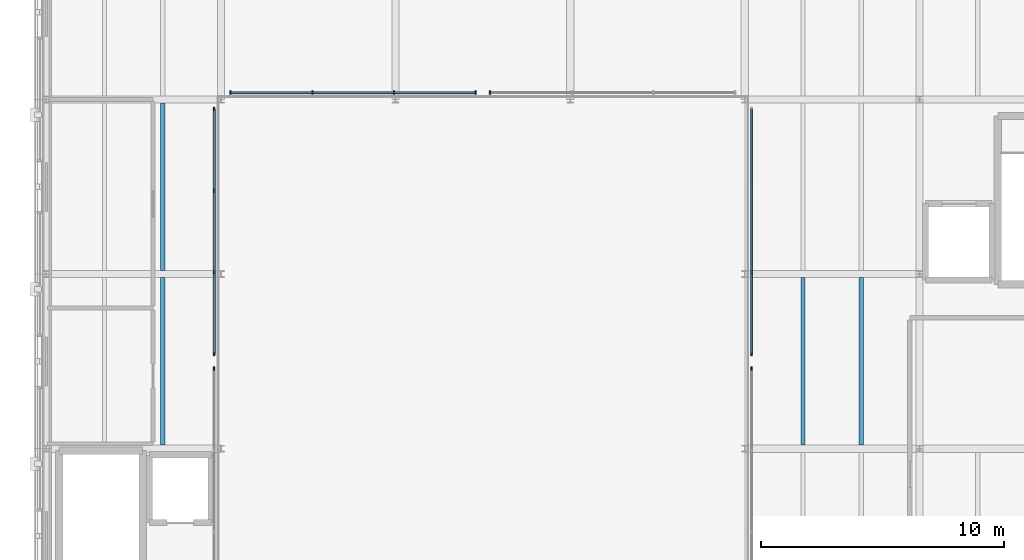
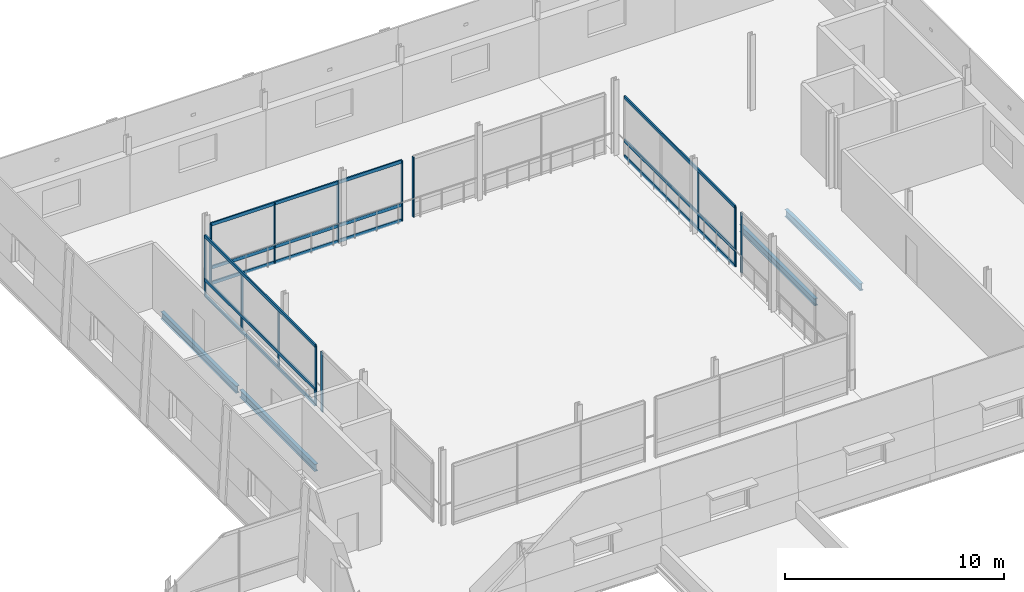
# One storey, part 40 of 115: 22 members, 4 beams, 6 elements without a shape of their own.
"""IFC4 building model written with IfcOpenShell, lengths in metres."""

from ifc_helpers import new_model, si_unit, direction, frame, origin, origin_2d, place, context, subcontext, project, spatial, rectangle, i_section, extrude, material, layer, layer_set, material_profile, profile_set, type_object, element, aggregate, save


model = new_model("IFC4")

# Units and contexts
model_context = context("Model", 3, precision=1e-05, world=origin(), true_north=direction((0.0, 1.0)))
body_context = subcontext(model_context, "Body", "Model", "MODEL_VIEW")
ifc_project = project(units=[si_unit("LENGTHUNIT", "METRE"), si_unit("AREAUNIT", "SQUARE_METRE"), si_unit("VOLUMEUNIT", "CUBIC_METRE"), si_unit("PLANEANGLEUNIT", "RADIAN"), si_unit("MASSUNIT", "GRAM", prefix="KILO")], contexts=[model_context])

# Site, building, storey
site_placement = place(None, origin())
site = spatial("IfcSite", under=ifc_project, at=site_placement, CompositionType="ELEMENT")
building_placement = place(site_placement, origin())
building = spatial("IfcBuilding", under=site, at=building_placement, Name="Narikvali Park Central Library", CompositionType="ELEMENT")
storey_placement = place(building_placement, frame((0.0, 0.0, 10.199951171875)))
storey = spatial("IfcBuildingStorey", under=building, at=storey_placement, Name="L02", CompositionType="ELEMENT", Elevation=10.199951171875)

# Beams
ifc_material_1 = material(Name="Steel S355", Category="steel")
ifc_material_profile_1 = material_profile(ifc_material_1, i_section(OverallWidth=0.179931640625, OverallDepth=0.39990234375, WebThickness=0.008544921875, FlangeThickness=0.013427734375, FilletRadius=0.02099609375, at=origin_2d()), Name="IPE 400")
ifc_profile_set_1 = profile_set([ifc_material_profile_1], Name="Steel S355")
beam_type = type_object("IfcBeamType", Name="Composite Floor Joist IPE400", PredefinedType="JOIST", material=ifc_profile_set_1)
beam_1_placement = place(storey_placement, frame((127.199951171875, 93.75, -0.47998046875), z_axis=(0.0, 1.0, 0.0), x_axis=(-1.0, 0.0, 0.0)))
element("IfcBeam", 1, at=beam_1_placement, inside=storey, type_object=beam_type, Name="V3 L02 Composite Joist 2", PredefinedType="JOIST", context=body_context, shape_type="SweptSolid", body=[
    extrude(i_section(OverallWidth=0.179931640625, OverallDepth=0.39990234375, WebThickness=0.008544921875, FlangeThickness=0.013427734375, FilletRadius=0.02099609375, at=origin_2d()), origin(), (0.0, 0.0, 1.0), 6.89990234375),
])
beam_2_placement = place(storey_placement, frame((127.199951171875, 100.949951171875, -0.47998046875), z_axis=(0.0, 1.0, 0.0), x_axis=(-1.0, 0.0, 0.0)))
element("IfcBeam", 2, at=beam_2_placement, inside=storey, type_object=beam_type, Name="V3 L02 Composite Joist 2", PredefinedType="JOIST", context=body_context, shape_type="SweptSolid", body=[
    extrude(i_section(OverallWidth=0.179931640625, OverallDepth=0.39990234375, WebThickness=0.008544921875, FlangeThickness=0.013427734375, FilletRadius=0.02099609375, at=origin_2d()), origin(), (0.0, 0.0, 1.0), 6.900146484375),
])
for number, where, z_axis, x_axis, name in (
    (3, (153.60009765625, 93.75, -0.47998046875), (0.0, 1.0, 0.0), (-1.0, 0.0, 0.0), "V3 L02 Composite Joist 1"),
    (4, (156.0, 93.75, -0.47998046875), (0.0, 1.0, 0.0), (-1.0, 0.0, 0.0), "V3 L02 Composite Joist 2"),
):
    element("IfcBeam", number, at=place(storey_placement, frame(where, z_axis=z_axis, x_axis=x_axis)), inside=storey, type_object=beam_type, Name=name, PredefinedType="JOIST", context=body_context, shape_type="SweptSolid", body=[
        extrude(i_section(OverallWidth=0.179931640625, OverallDepth=0.39990234375, WebThickness=0.008544921875, FlangeThickness=0.013427734375, FilletRadius=0.02099609375, at=origin_2d()), origin(), (0.0, 0.0, 1.0), 6.89990234375),
    ])

# Curtain wall, members
ifc_material_2 = material(Name="Anodised Bronze Aluminium", Category="aluminium")
ifc_layer = layer(ifc_material_2, 0.219970703125, Name="Anodised Bronze Aluminium")
ifc_layer_set = layer_set([ifc_layer], Name="Anodised Bronze Aluminium")
curtain_wall_type = type_object("IfcCurtainWallType", Name="Atrium Tall Curtain Wall System", PredefinedType="NOTDEFINED", material=ifc_layer_set)
curtain_wall_1_placement = place(storey_placement, origin())
curtain_wall_1 = element("IfcCurtainWall", 5, at=curtain_wall_1_placement, inside=storey, type_object=curtain_wall_type, Name="Atrium Tall Curtain Wall System CW-INT-V3-L02-W2", PredefinedType="NOTDEFINED")
ifc_material_profile_2 = material_profile(ifc_material_2, rectangle(XDim=0.074951171875, YDim=0.179931640625, at=origin_2d()), Name="CW TRANSOM 75x180")
ifc_profile_set_2 = profile_set([ifc_material_profile_2], Name="Anodised Bronze Aluminium")
member_type_1 = type_object("IfcMemberType", Name="Curtain Wall Heavy Transom 75x180", PredefinedType="USERDEFINED", material=ifc_profile_set_2)
member_1_placement = place(storey_placement, frame((129.320068359375, 97.5, 0.030029296875), z_axis=(0.0, 1.0, 0.0), x_axis=(-1.0, 0.0, 0.0)))
member_1 = element("IfcMember", 6, at=member_1_placement, type_object=member_type_1, Name="CW-INT-V3-L02-W2 Transom 00", ObjectType="TRANSOM", PredefinedType="USERDEFINED", context=body_context, shape_type="SweptSolid", body=[
    extrude(rectangle(XDim=0.074951171875, YDim=0.179931640625, at=origin_2d()), origin(), (0.0, 0.0, 1.0), 10.10009765625),
])
member_2_placement = place(storey_placement, frame((129.320068359375, 97.5, 0.900146484375), z_axis=(0.0, 1.0, 0.0), x_axis=(-1.0, 0.0, 0.0)))
member_2 = element("IfcMember", 7, at=member_2_placement, type_object=member_type_1, Name="CW-INT-V3-L02-W2 Transom 01", ObjectType="TRANSOM", PredefinedType="USERDEFINED", context=body_context, shape_type="SweptSolid", body=[
    extrude(rectangle(XDim=0.074951171875, YDim=0.179931640625, at=origin_2d()), origin(), (0.0, 0.0, 1.0), 10.10009765625),
])
member_3_placement = place(storey_placement, frame((129.320068359375, 97.5, 3.31005859375), z_axis=(0.0, 1.0, 0.0), x_axis=(-1.0, 0.0, 0.0)))
member_3 = element("IfcMember", 8, at=member_3_placement, type_object=member_type_1, Name="CW-INT-V3-L02-W2 Transom 02", ObjectType="TRANSOM", PredefinedType="USERDEFINED", context=body_context, shape_type="SweptSolid", body=[
    extrude(rectangle(XDim=0.074951171875, YDim=0.179931640625, at=origin_2d()), origin(), (0.0, 0.0, 1.0), 10.10009765625),
])

curtain_wall_2_placement = place(storey_placement, origin())
curtain_wall_2 = element("IfcCurtainWall", 9, at=curtain_wall_2_placement, inside=storey, type_object=curtain_wall_type, Name="Atrium Tall Curtain Wall System CW-INT-V3-L02-E2", PredefinedType="NOTDEFINED")
member_4_placement = place(storey_placement, frame((151.47998046875, 97.5, 0.030029296875), z_axis=(0.0, 1.0, 0.0), x_axis=(-1.0, 0.0, 0.0)))
member_4 = element("IfcMember", 10, at=member_4_placement, type_object=member_type_1, Name="CW-INT-V3-L02-E2 Transom 00", ObjectType="TRANSOM", PredefinedType="USERDEFINED", context=body_context, shape_type="SweptSolid", body=[
    extrude(rectangle(XDim=0.074951171875, YDim=0.179931640625, at=origin_2d()), origin(), (0.0, 0.0, 1.0), 10.10009765625),
])
member_5_placement = place(storey_placement, frame((151.47998046875, 97.5, 0.900146484375), z_axis=(0.0, 1.0, 0.0), x_axis=(-1.0, 0.0, 0.0)))
member_5 = element("IfcMember", 11, at=member_5_placement, type_object=member_type_1, Name="CW-INT-V3-L02-E2 Transom 01", ObjectType="TRANSOM", PredefinedType="USERDEFINED", context=body_context, shape_type="SweptSolid", body=[
    extrude(rectangle(XDim=0.074951171875, YDim=0.179931640625, at=origin_2d()), origin(), (0.0, 0.0, 1.0), 10.10009765625),
])
member_6_placement = place(storey_placement, frame((151.47998046875, 97.5, 3.31005859375), z_axis=(0.0, 1.0, 0.0), x_axis=(-1.0, 0.0, 0.0)))
member_6 = element("IfcMember", 12, at=member_6_placement, type_object=member_type_1, Name="CW-INT-V3-L02-E2 Transom 02", ObjectType="TRANSOM", PredefinedType="USERDEFINED", context=body_context, shape_type="SweptSolid", body=[
    extrude(rectangle(XDim=0.074951171875, YDim=0.179931640625, at=origin_2d()), origin(), (0.0, 0.0, 1.0), 10.10009765625),
])

curtain_wall_3_placement = place(storey_placement, origin())
curtain_wall_3 = element("IfcCurtainWall", 13, at=curtain_wall_3_placement, inside=storey, type_object=curtain_wall_type, Name="Atrium Tall Curtain Wall System CW-INT-V3-L02-N1", PredefinedType="NOTDEFINED")
member_7_placement = place(storey_placement, frame((130.0, 108.280029296875, 0.030029296875), z_axis=(1.0, 0.0, 0.0), x_axis=(0.0, 1.0, 0.0)))
member_7 = element("IfcMember", 14, at=member_7_placement, type_object=member_type_1, Name="CW-INT-V3-L02-N1 Transom 00", ObjectType="TRANSOM", PredefinedType="USERDEFINED", context=body_context, shape_type="SweptSolid", body=[
    extrude(rectangle(XDim=0.074951171875, YDim=0.179931640625, at=origin_2d()), origin(), (0.0, 0.0, 1.0), 10.10009765625),
])
member_8_placement = place(storey_placement, frame((130.0, 108.280029296875, 0.900146484375), z_axis=(1.0, 0.0, 0.0), x_axis=(0.0, 1.0, 0.0)))
member_8 = element("IfcMember", 15, at=member_8_placement, type_object=member_type_1, Name="CW-INT-V3-L02-N1 Transom 01", ObjectType="TRANSOM", PredefinedType="USERDEFINED", context=body_context, shape_type="SweptSolid", body=[
    extrude(rectangle(XDim=0.074951171875, YDim=0.179931640625, at=origin_2d()), origin(), (0.0, 0.0, 1.0), 10.10009765625),
])
member_9_placement = place(storey_placement, frame((130.0, 108.280029296875, 3.31005859375), z_axis=(1.0, 0.0, 0.0), x_axis=(0.0, 1.0, 0.0)))
member_9 = element("IfcMember", 16, at=member_9_placement, type_object=member_type_1, Name="CW-INT-V3-L02-N1 Transom 02", ObjectType="TRANSOM", PredefinedType="USERDEFINED", context=body_context, shape_type="SweptSolid", body=[
    extrude(rectangle(XDim=0.074951171875, YDim=0.179931640625, at=origin_2d()), origin(), (0.0, 0.0, 1.0), 10.10009765625),
])

# Curtain wall, member
curtain_wall_4_placement = place(storey_placement, origin())
curtain_wall_4 = element("IfcCurtainWall", 17, at=curtain_wall_4_placement, inside=storey, type_object=curtain_wall_type, Name="Atrium Tall Curtain Wall System CW-INT-V3-L02-W1", PredefinedType="NOTDEFINED")
ifc_material_profile_3 = material_profile(ifc_material_2, rectangle(XDim=0.06005859375, YDim=0.14990234375, at=origin_2d()), Name="CW MULLION 60x150")
ifc_profile_set_3 = profile_set([ifc_material_profile_3], Name="Anodised Bronze Aluminium")
member_type_2 = type_object("IfcMemberType", Name="Curtain Wall Mullion 60x150", PredefinedType="MULLION", material=ifc_profile_set_3)
member_10_placement = place(storey_placement, frame((129.320068359375, 96.89990234375, -0.010009765625), z_axis=(0.0, 0.0, 1.0), x_axis=(1.0, 0.0, 0.0)))
member_10 = element("IfcMember", 18, at=member_10_placement, type_object=member_type_2, Name="CW-INT-V3-L02-W1 Mullion 03", PredefinedType="MULLION", context=body_context, shape_type="SweptSolid", body=[
    extrude(rectangle(XDim=0.06005859375, YDim=0.14990234375, at=origin_2d()), origin(), (0.0, 0.0, 1.0), 3.35009765625),
])
aggregate(curtain_wall_4, [member_10])

# Member
member_11_placement = place(storey_placement, frame((129.320068359375, 97.5, -0.010009765625), z_axis=(0.0, 0.0, 1.0), x_axis=(1.0, 0.0, 0.0)))
member_11 = element("IfcMember", 19, at=member_11_placement, type_object=member_type_2, Name="CW-INT-V3-L02-W2 Mullion 00", PredefinedType="MULLION", context=body_context, shape_type="SweptSolid", body=[
    extrude(rectangle(XDim=0.06005859375, YDim=0.14990234375, at=origin_2d()), origin(), (0.0, 0.0, 1.0), 3.35009765625),
])

member_12_placement = place(storey_placement, frame((129.320068359375, 100.86669921875, -0.010009765625), z_axis=(0.0, 0.0, 1.0), x_axis=(1.0, 0.0, 0.0)))
member_12 = element("IfcMember", 20, at=member_12_placement, type_object=member_type_2, Name="CW-INT-V3-L02-W2 Mullion 01", PredefinedType="MULLION", context=body_context, shape_type="SweptSolid", body=[
    extrude(rectangle(XDim=0.06005859375, YDim=0.14990234375, at=origin_2d()), origin(), (0.0, 0.0, 1.0), 3.35009765625),
])

member_13_placement = place(storey_placement, frame((129.320068359375, 104.2333984375, -0.010009765625), z_axis=(0.0, 0.0, 1.0), x_axis=(1.0, 0.0, 0.0)))
member_13 = element("IfcMember", 21, at=member_13_placement, type_object=member_type_2, Name="CW-INT-V3-L02-W2 Mullion 02", PredefinedType="MULLION", context=body_context, shape_type="SweptSolid", body=[
    extrude(rectangle(XDim=0.06005859375, YDim=0.14990234375, at=origin_2d()), origin(), (0.0, 0.0, 1.0), 3.35009765625),
])

member_14_placement = place(storey_placement, frame((129.320068359375, 107.60009765625, -0.010009765625), z_axis=(0.0, 0.0, 1.0), x_axis=(1.0, 0.0, 0.0)))
member_14 = element("IfcMember", 22, at=member_14_placement, type_object=member_type_2, Name="CW-INT-V3-L02-W2 Mullion 03", PredefinedType="MULLION", context=body_context, shape_type="SweptSolid", body=[
    extrude(rectangle(XDim=0.06005859375, YDim=0.14990234375, at=origin_2d()), origin(), (0.0, 0.0, 1.0), 3.35009765625),
])

aggregate(curtain_wall_1, [member_11, member_12, member_13, member_14, member_1, member_2, member_3])

# Curtain wall, member
curtain_wall_5_placement = place(storey_placement, origin())
curtain_wall_5 = element("IfcCurtainWall", 23, at=curtain_wall_5_placement, inside=storey, type_object=curtain_wall_type, Name="Atrium Tall Curtain Wall System CW-INT-V3-L02-E1", PredefinedType="NOTDEFINED")
member_15_placement = place(storey_placement, frame((151.47998046875, 96.89990234375, -0.010009765625), z_axis=(0.0, 0.0, 1.0), x_axis=(1.0, 0.0, 0.0)))
member_15 = element("IfcMember", 24, at=member_15_placement, type_object=member_type_2, Name="CW-INT-V3-L02-E1 Mullion 03", PredefinedType="MULLION", context=body_context, shape_type="SweptSolid", body=[
    extrude(rectangle(XDim=0.06005859375, YDim=0.14990234375, at=origin_2d()), origin(), (0.0, 0.0, 1.0), 3.35009765625),
])
aggregate(curtain_wall_5, [member_15])

# Member
member_16_placement = place(storey_placement, frame((151.47998046875, 97.5, -0.010009765625), z_axis=(0.0, 0.0, 1.0), x_axis=(1.0, 0.0, 0.0)))
member_16 = element("IfcMember", 25, at=member_16_placement, type_object=member_type_2, Name="CW-INT-V3-L02-E2 Mullion 00", PredefinedType="MULLION", context=body_context, shape_type="SweptSolid", body=[
    extrude(rectangle(XDim=0.06005859375, YDim=0.14990234375, at=origin_2d()), origin(), (0.0, 0.0, 1.0), 3.35009765625),
])

member_17_placement = place(storey_placement, frame((151.47998046875, 100.86669921875, -0.010009765625), z_axis=(0.0, 0.0, 1.0), x_axis=(1.0, 0.0, 0.0)))
member_17 = element("IfcMember", 26, at=member_17_placement, type_object=member_type_2, Name="CW-INT-V3-L02-E2 Mullion 01", PredefinedType="MULLION", context=body_context, shape_type="SweptSolid", body=[
    extrude(rectangle(XDim=0.06005859375, YDim=0.14990234375, at=origin_2d()), origin(), (0.0, 0.0, 1.0), 3.35009765625),
])

aggregate(curtain_wall_2, [member_16, member_17, member_4, member_5, member_6])

member_18_placement = place(storey_placement, frame((130.0, 108.280029296875, -0.010009765625), z_axis=(0.0, 0.0, 1.0), x_axis=(1.0, 0.0, 0.0)))
member_18 = element("IfcMember", 27, at=member_18_placement, type_object=member_type_2, Name="CW-INT-V3-L02-N1 Mullion 00", PredefinedType="MULLION", context=body_context, shape_type="SweptSolid", body=[
    extrude(rectangle(XDim=0.06005859375, YDim=0.14990234375, at=origin_2d()), origin(), (0.0, 0.0, 1.0), 3.35009765625),
])

member_19_placement = place(storey_placement, frame((133.36669921875, 108.280029296875, -0.010009765625), z_axis=(0.0, 0.0, 1.0), x_axis=(1.0, 0.0, 0.0)))
member_19 = element("IfcMember", 28, at=member_19_placement, type_object=member_type_2, Name="CW-INT-V3-L02-N1 Mullion 01", PredefinedType="MULLION", context=body_context, shape_type="SweptSolid", body=[
    extrude(rectangle(XDim=0.06005859375, YDim=0.14990234375, at=origin_2d()), origin(), (0.0, 0.0, 1.0), 3.35009765625),
])

member_20_placement = place(storey_placement, frame((136.7333984375, 108.280029296875, -0.010009765625), z_axis=(0.0, 0.0, 1.0), x_axis=(1.0, 0.0, 0.0)))
member_20 = element("IfcMember", 29, at=member_20_placement, type_object=member_type_2, Name="CW-INT-V3-L02-N1 Mullion 02", PredefinedType="MULLION", context=body_context, shape_type="SweptSolid", body=[
    extrude(rectangle(XDim=0.06005859375, YDim=0.14990234375, at=origin_2d()), origin(), (0.0, 0.0, 1.0), 3.35009765625),
])

member_21_placement = place(storey_placement, frame((140.10009765625, 108.280029296875, -0.010009765625), z_axis=(0.0, 0.0, 1.0), x_axis=(1.0, 0.0, 0.0)))
member_21 = element("IfcMember", 30, at=member_21_placement, type_object=member_type_2, Name="CW-INT-V3-L02-N1 Mullion 03", PredefinedType="MULLION", context=body_context, shape_type="SweptSolid", body=[
    extrude(rectangle(XDim=0.06005859375, YDim=0.14990234375, at=origin_2d()), origin(), (0.0, 0.0, 1.0), 3.35009765625),
])

aggregate(curtain_wall_3, [member_18, member_19, member_20, member_21, member_7, member_8, member_9])

# Curtain wall, member
curtain_wall_6_placement = place(storey_placement, origin())
curtain_wall_6 = element("IfcCurtainWall", 31, at=curtain_wall_6_placement, inside=storey, type_object=curtain_wall_type, Name="Atrium Tall Curtain Wall System CW-INT-V3-L02-N2", PredefinedType="NOTDEFINED")
member_22_placement = place(storey_placement, frame((140.699951171875, 108.280029296875, -0.010009765625), z_axis=(0.0, 0.0, 1.0), x_axis=(1.0, 0.0, 0.0)))
member_22 = element("IfcMember", 32, at=member_22_placement, type_object=member_type_2, Name="CW-INT-V3-L02-N2 Mullion 00", PredefinedType="MULLION", context=body_context, shape_type="SweptSolid", body=[
    extrude(rectangle(XDim=0.06005859375, YDim=0.14990234375, at=origin_2d()), origin(), (0.0, 0.0, 1.0), 3.35009765625),
])
aggregate(curtain_wall_6, [member_22])

save(model, "model.ifc")
